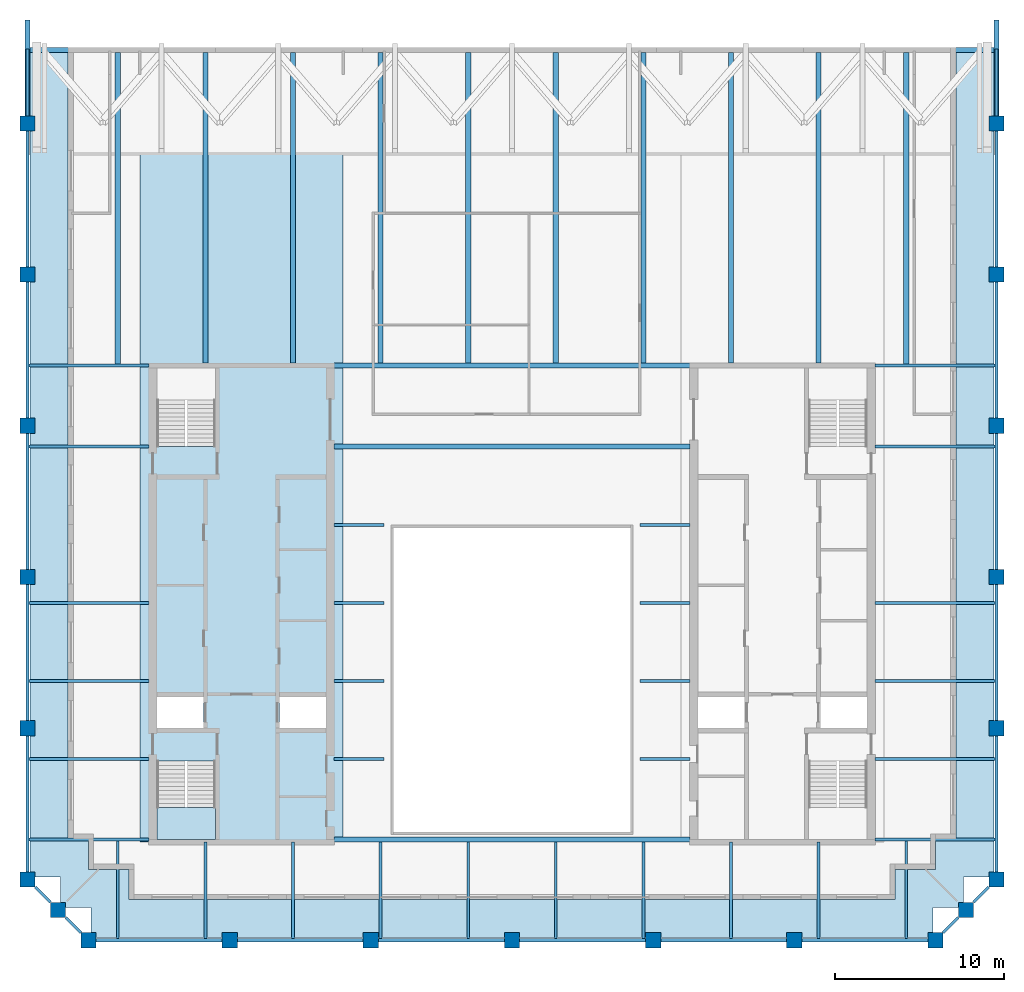
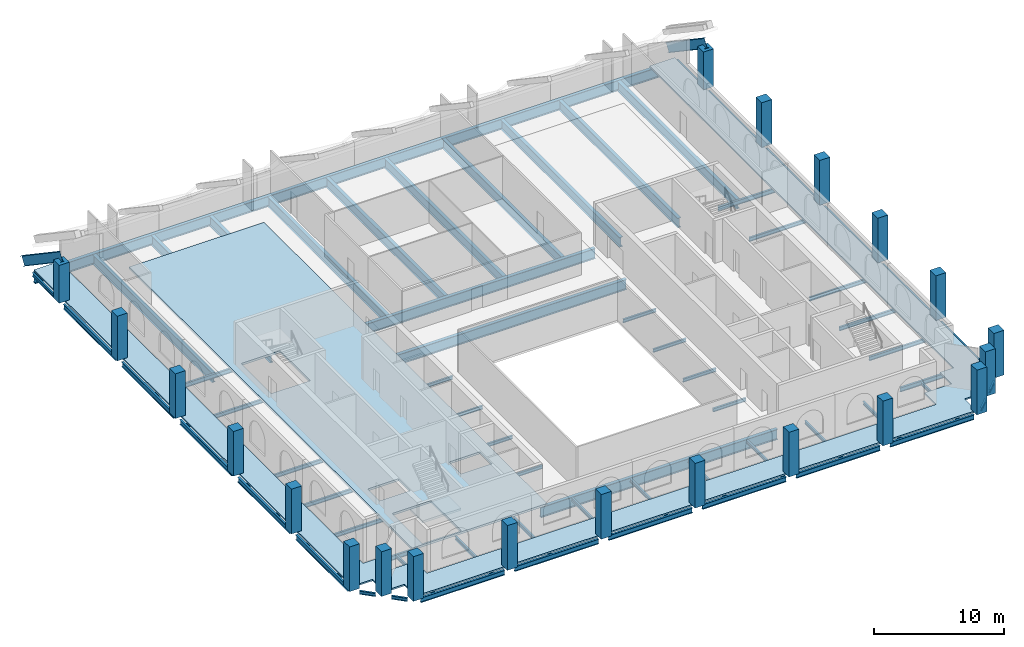
# One storey, part 1 of 8: 68 beams, 21 columns, 3 slabs, 1 element without a shape of its own.
"""IFC4 building model written with IfcOpenShell, lengths in metres."""

from ifc_helpers import new_model, si_unit, direction, frame, origin, origin_2d, place, context, subcontext, project, spatial, polyline, rectangle, i_section, outline, extrude, material, layer, layer_set, material_profile, profile_set, type_object, element, aggregate, save


model = new_model("IFC4")

# Units and contexts
model_context = context("Model", 3, precision=1e-05, world=origin(), true_north=direction((0.0, 1.0)))
body_context = subcontext(model_context, "Body", "Model", "MODEL_VIEW")
ifc_project = project(units=[si_unit("LENGTHUNIT", "METRE"), si_unit("AREAUNIT", "SQUARE_METRE"), si_unit("VOLUMEUNIT", "CUBIC_METRE"), si_unit("PLANEANGLEUNIT", "RADIAN"), si_unit("MASSUNIT", "GRAM", prefix="KILO")], contexts=[model_context])

# Site, building, storey
site_placement = place(None, origin())
site = spatial("IfcSite", under=ifc_project, at=site_placement, CompositionType="ELEMENT")
building_placement = place(site_placement, origin())
building = spatial("IfcBuilding", under=site, at=building_placement, Name="Ogive Exchange Tower", CompositionType="ELEMENT")
storey_placement = place(building_placement, frame((0.0, 0.0, 377.39990234375)))
storey = spatial("IfcBuildingStorey", under=building, at=storey_placement, Name="C03", CompositionType="ELEMENT", Elevation=377.39990234375)

# Columns
ifc_material_1 = material(Name="Precast concrete C70/85 (limestone faced)", Category="masonry")
ifc_material_profile_1 = material_profile(ifc_material_1, rectangle(XDim=0.89990234375, YDim=0.89990234375, at=origin_2d()), Name="900 x 900")
ifc_profile_set_1 = profile_set([ifc_material_profile_1], Name="Precast concrete C70/85 (limestone faced)")
column_type = type_object("IfcColumnType", Name="Precast exoskeleton leg 900 x 900 C70/85", PredefinedType="COLUMN", material=ifc_profile_set_1)
for number, where, z_axis, x_axis, name in (
    (1, (-25.050048828125, -8.39990234375, 0.0), (0.0, 0.0, 1.0), (1.0, 0.0, 0.0), "Crown leg 1"),
    (2, (-16.699951171875, -8.39990234375, 0.0), (0.0, 0.0, 1.0), (1.0, 0.0, 0.0), "Crown leg 2"),
    (3, (-8.35009765625, -8.39990234375, 0.0), (0.0, 0.0, 1.0), (1.0, 0.0, 0.0), "Crown leg 3"),
    (4, (0.0, -8.39990234375, 0.0), (0.0, 0.0, 1.0), (1.0, 0.0, 0.0), "Crown leg 4"),
    (5, (8.35009765625, -8.39990234375, 0.0), (0.0, 0.0, 1.0), (1.0, 0.0, 0.0), "Crown leg 5"),
    (6, (16.699951171875, -8.39990234375, 0.0), (0.0, 0.0, 1.0), (1.0, 0.0, 0.0), "Crown leg 6"),
    (7, (25.050048828125, -8.39990234375, 0.0), (0.0, 0.0, 1.0), (1.0, 0.0, 0.0), "Crown leg 7"),
    (8, (28.64990234375, -4.800048828125, 0.0), (0.0, 0.0, 1.0), (1.0, 0.0, 0.0), "Crown leg 8"),
    (9, (28.64990234375, 4.142822265625, 0.0), (0.0, 0.0, 1.0), (1.0, 0.0, 0.0), "Crown leg 9"),
    (10, (28.64990234375, 13.085693359375, 0.0), (0.0, 0.0, 1.0), (1.0, 0.0, 0.0), "Crown leg 10"),
    (11, (28.64990234375, 22.028564453125, 0.0), (0.0, 0.0, 1.0), (1.0, 0.0, 0.0), "Crown leg 11"),
    (12, (28.64990234375, 30.971435546875, 0.0), (0.0, 0.0, 1.0), (1.0, 0.0, 0.0), "Crown leg 12"),
):
    element("IfcColumn", number, at=place(storey_placement, frame(where, z_axis=z_axis, x_axis=x_axis)), inside=storey, type_object=column_type, Name=name, PredefinedType="COLUMN", context=body_context, shape_type="SweptSolid", body=[
        extrude(rectangle(XDim=0.89990234375, YDim=0.89990234375, at=origin_2d()), origin(), (0.0, 0.0, 1.0), 4.2001953125),
    ])
for number, where, z_axis, x_axis, name in (
    (13, (28.64990234375, 39.914306640625, 0.0), (0.0, 0.0, 1.0), (1.0, 0.0, 0.0), "Crown leg 13"),
    (14, (-28.64990234375, 39.914306640625, 0.0), (0.0, 0.0, 1.0), (1.0, 0.0, 0.0), "Crown leg 25"),
):
    element("IfcColumn", number, at=place(storey_placement, frame(where, z_axis=z_axis, x_axis=x_axis)), inside=storey, type_object=column_type, Name=name, PredefinedType="COLUMN", context=body_context, shape_type="SweptSolid", body=[
        extrude(rectangle(XDim=0.89990234375, YDim=0.89990234375, at=origin_2d()), origin(), (0.0, 0.0, 1.0), 3.551025390625),
    ])
for number, where, z_axis, x_axis, name in (
    (15, (-28.64990234375, 30.971435546875, 0.0), (0.0, 0.0, 1.0), (1.0, 0.0, 0.0), "Crown leg 26"),
    (16, (-28.64990234375, 22.028564453125, 0.0), (0.0, 0.0, 1.0), (1.0, 0.0, 0.0), "Crown leg 27"),
    (17, (-28.64990234375, 13.085693359375, 0.0), (0.0, 0.0, 1.0), (1.0, 0.0, 0.0), "Crown leg 28"),
    (18, (-28.64990234375, 4.142822265625, 0.0), (0.0, 0.0, 1.0), (1.0, 0.0, 0.0), "Crown leg 29"),
    (19, (-28.64990234375, -4.800048828125, 0.0), (0.0, 0.0, 1.0), (1.0, 0.0, 0.0), "Crown leg 30"),
    (20, (26.85009765625, -6.60009765625, 0.0), (0.0, 0.0, 1.0), (1.0, 0.0, 0.0), "Crown leg 31"),
    (21, (-26.85009765625, -6.60009765625, 0.0), (0.0, 0.0, 1.0), (1.0, 0.0, 0.0), "Crown leg 34"),
):
    element("IfcColumn", number, at=place(storey_placement, frame(where, z_axis=z_axis, x_axis=x_axis)), inside=storey, type_object=column_type, Name=name, PredefinedType="COLUMN", context=body_context, shape_type="SweptSolid", body=[
        extrude(rectangle(XDim=0.89990234375, YDim=0.89990234375, at=origin_2d()), origin(), (0.0, 0.0, 1.0), 4.2001953125),
    ])

# Beams
ifc_material_2 = material(Name="Steel ASTM A992 Gr50", Category="steel")
ifc_material_profile_2 = material_profile(ifc_material_2, i_section(OverallWidth=0.2919921875, OverallDepth=0.8359375, WebThickness=0.013916015625, FlangeThickness=0.018798828125, at=origin_2d()), Name="W840x176")
ifc_profile_set_2 = profile_set([ifc_material_profile_2], Name="Steel ASTM A992 Gr50")
beam_type_1 = type_object("IfcBeamType", Name="Crown raking ring beam W840x176", PredefinedType="BEAM", material=ifc_profile_set_2)
for number, where, z_axis, x_axis, name in (
    (22, (28.64990234375, 39.914306640625, 3.968994140625), (0.0, 0.829037640692, -0.559192802453), (-1.0, 0.0, 0.0), "Crown ring beam 14"),
    (23, (-28.64990234375, 45.798583984375, 0.0), (0.0, -0.829037640692, 0.559192802453), (1.0, 0.0, 0.0), "Crown ring beam 27"),
):
    element("IfcBeam", number, at=place(storey_placement, frame(where, z_axis=z_axis, x_axis=x_axis)), inside=storey, type_object=beam_type_1, Name=name, PredefinedType="BEAM", context=body_context, shape_type="SweptSolid", body=[
        extrude(i_section(OverallWidth=0.2919921875, OverallDepth=0.8359375, WebThickness=0.013916015625, FlangeThickness=0.018798828125, at=origin_2d()), origin(), (0.0, 0.0, 1.0), 7.09765625),
    ])
ifc_material_profile_3 = material_profile(ifc_material_2, i_section(OverallWidth=0.300048828125, OverallDepth=0.97998046875, WebThickness=0.0166015625, FlangeThickness=0.026123046875, at=origin_2d()), Name="W1000x249")
ifc_profile_set_3 = profile_set([ifc_material_profile_3], Name="Steel ASTM A992 Gr50")
beam_type_2 = type_object("IfcBeamType", Name="Floor beam W1000x249", PredefinedType="JOIST", material=ifc_profile_set_3)
beam_1_placement = place(storey_placement, frame((-10.52001953125, 20.797607421875, -0.68994140625), z_axis=(1.0, 0.0, 0.0), x_axis=(0.0, 1.0, 0.0)))
element("IfcBeam", 24, at=beam_1_placement, inside=storey, type_object=beam_type_2, Name="Floor beam", PredefinedType="JOIST", context=body_context, shape_type="SweptSolid", body=[
    extrude(i_section(OverallWidth=0.300048828125, OverallDepth=0.97998046875, WebThickness=0.0166015625, FlangeThickness=0.026123046875, at=origin_2d()), origin(), (0.0, 0.0, 1.0), 21.0400390625),
])
ifc_material_profile_4 = material_profile(ifc_material_2, i_section(OverallWidth=0.1650390625, OverallDepth=0.31005859375, WebThickness=0.005859375, FlangeThickness=0.009765625, at=origin_2d()), Name="W310x38.7")
ifc_profile_set_4 = profile_set([ifc_material_profile_4], Name="Steel ASTM A992 Gr50")
beam_type_3 = type_object("IfcBeamType", Name="Floor beam W310x38.7", PredefinedType="JOIST", material=ifc_profile_set_4)
for number, where, z_axis, x_axis, name in (
    (25, (-10.52001953125, 2.3212890625, -0.35498046875), (1.0, 0.0, 0.0), (0.0, 1.0, 0.0), "Floor beam"),
    (26, (7.570068359375, 2.3212890625, -0.35498046875), (1.0, 0.0, 0.0), (0.0, 1.0, 0.0), "Floor beam"),
    (27, (-10.52001953125, 6.9326171875, -0.35498046875), (1.0, 0.0, 0.0), (0.0, 1.0, 0.0), "Floor beam"),
    (28, (7.570068359375, 6.9326171875, -0.35498046875), (1.0, 0.0, 0.0), (0.0, 1.0, 0.0), "Floor beam"),
    (29, (-10.52001953125, 11.543701171875, -0.35498046875), (1.0, 0.0, 0.0), (0.0, 1.0, 0.0), "Floor beam"),
    (30, (7.570068359375, 11.543701171875, -0.35498046875), (1.0, 0.0, 0.0), (0.0, 1.0, 0.0), "Floor beam"),
):
    element("IfcBeam", number, at=place(storey_placement, frame(where, z_axis=z_axis, x_axis=x_axis)), inside=storey, type_object=beam_type_3, Name=name, PredefinedType="JOIST", context=body_context, shape_type="SweptSolid", body=[
        extrude(i_section(OverallWidth=0.1650390625, OverallDepth=0.31005859375, WebThickness=0.005859375, FlangeThickness=0.009765625, at=origin_2d()), origin(), (0.0, 0.0, 1.0), 2.949951171875),
    ])
beam_2_placement = place(storey_placement, frame((-23.314208984375, -8.304443359375, -0.35498046875), z_axis=(0.0, 1.0, 0.0), x_axis=(-1.0, 0.0, 0.0)))
element("IfcBeam", 31, at=beam_2_placement, inside=storey, type_object=beam_type_3, Name="Floor beam", PredefinedType="JOIST", context=body_context, shape_type="SweptSolid", body=[
    extrude(i_section(OverallWidth=0.1650390625, OverallDepth=0.31005859375, WebThickness=0.005859375, FlangeThickness=0.009765625, at=origin_2d()), origin(), (0.0, 0.0, 1.0), 5.7705078125),
])
for number, where, z_axis, x_axis, name in (
    (32, (-18.13330078125, -8.304443359375, -0.35498046875), (0.0, 1.0, 0.0), (-1.0, 0.0, 0.0), "Floor beam"),
    (33, (-12.952392578125, -8.304443359375, -0.35498046875), (0.0, 1.0, 0.0), (-1.0, 0.0, 0.0), "Floor beam"),
):
    element("IfcBeam", number, at=place(storey_placement, frame(where, z_axis=z_axis, x_axis=x_axis)), inside=storey, type_object=beam_type_3, Name=name, PredefinedType="JOIST", context=body_context, shape_type="SweptSolid", body=[
        extrude(i_section(OverallWidth=0.1650390625, OverallDepth=0.31005859375, WebThickness=0.005859375, FlangeThickness=0.009765625, at=origin_2d()), origin(), (0.0, 0.0, 1.0), 5.704345703125),
    ])
for number, where, z_axis, x_axis, name in (
    (34, (-7.771484375, -8.304443359375, -0.35498046875), (0.0, 1.0, 0.0), (-1.0, 0.0, 0.0), "Floor beam"),
    (35, (-2.590576171875, -8.304443359375, -0.35498046875), (0.0, 1.0, 0.0), (-1.0, 0.0, 0.0), "Floor beam"),
    (36, (2.590576171875, -8.304443359375, -0.35498046875), (0.0, 1.0, 0.0), (-1.0, 0.0, 0.0), "Floor beam"),
    (37, (7.771484375, -8.304443359375, -0.35498046875), (0.0, 1.0, 0.0), (-1.0, 0.0, 0.0), "Floor beam"),
):
    element("IfcBeam", number, at=place(storey_placement, frame(where, z_axis=z_axis, x_axis=x_axis)), inside=storey, type_object=beam_type_3, Name=name, PredefinedType="JOIST", context=body_context, shape_type="SweptSolid", body=[
        extrude(i_section(OverallWidth=0.1650390625, OverallDepth=0.31005859375, WebThickness=0.005859375, FlangeThickness=0.009765625, at=origin_2d()), origin(), (0.0, 0.0, 1.0), 5.70947265625),
    ])
for number, where, z_axis, x_axis, name in (
    (38, (12.952392578125, -8.304443359375, -0.35498046875), (0.0, 1.0, 0.0), (-1.0, 0.0, 0.0), "Floor beam"),
    (39, (18.13330078125, -8.304443359375, -0.35498046875), (0.0, 1.0, 0.0), (-1.0, 0.0, 0.0), "Floor beam"),
):
    element("IfcBeam", number, at=place(storey_placement, frame(where, z_axis=z_axis, x_axis=x_axis)), inside=storey, type_object=beam_type_3, Name=name, PredefinedType="JOIST", context=body_context, shape_type="SweptSolid", body=[
        extrude(i_section(OverallWidth=0.1650390625, OverallDepth=0.31005859375, WebThickness=0.005859375, FlangeThickness=0.009765625, at=origin_2d()), origin(), (0.0, 0.0, 1.0), 5.704345703125),
    ])
beam_3_placement = place(storey_placement, frame((23.314208984375, -8.304443359375, -0.35498046875), z_axis=(0.0, 1.0, 0.0), x_axis=(-1.0, 0.0, 0.0)))
element("IfcBeam", 40, at=beam_3_placement, inside=storey, type_object=beam_type_3, Name="Floor beam", PredefinedType="JOIST", context=body_context, shape_type="SweptSolid", body=[
    extrude(i_section(OverallWidth=0.1650390625, OverallDepth=0.31005859375, WebThickness=0.005859375, FlangeThickness=0.009765625, at=origin_2d()), origin(), (0.0, 0.0, 1.0), 5.7705078125),
])
ifc_material_profile_5 = material_profile(ifc_material_2, i_section(OverallWidth=0.1708984375, OverallDepth=0.35595703125, WebThickness=0.00732421875, FlangeThickness=0.01171875, at=origin_2d()), Name="W360x51")
ifc_profile_set_5 = profile_set([ifc_material_profile_5], Name="Steel ASTM A992 Gr50")
beam_type_4 = type_object("IfcBeamType", Name="Floor beam W360x51", PredefinedType="JOIST", material=ifc_profile_set_5)
for number, where, z_axis, x_axis, name in (
    (41, (-28.554443359375, 2.3212890625, -0.3779296875), (1.0, 0.0, 0.0), (0.0, 1.0, 0.0), "Floor beam"),
    (42, (21.47998046875, 2.3212890625, -0.3779296875), (1.0, 0.0, 0.0), (0.0, 1.0, 0.0), "Floor beam"),
    (43, (-28.554443359375, 6.9326171875, -0.3779296875), (1.0, 0.0, 0.0), (0.0, 1.0, 0.0), "Floor beam"),
    (44, (21.47998046875, 6.9326171875, -0.3779296875), (1.0, 0.0, 0.0), (0.0, 1.0, 0.0), "Floor beam"),
    (45, (-28.554443359375, 11.543701171875, -0.3779296875), (1.0, 0.0, 0.0), (0.0, 1.0, 0.0), "Floor beam"),
    (46, (21.47998046875, 11.543701171875, -0.3779296875), (1.0, 0.0, 0.0), (0.0, 1.0, 0.0), "Floor beam"),
    (47, (-28.554443359375, 20.797607421875, -0.3779296875), (1.0, 0.0, 0.0), (0.0, 1.0, 0.0), "Floor beam"),
    (48, (21.47998046875, 20.797607421875, -0.3779296875), (1.0, 0.0, 0.0), (0.0, 1.0, 0.0), "Floor beam"),
):
    element("IfcBeam", number, at=place(storey_placement, frame(where, z_axis=z_axis, x_axis=x_axis)), inside=storey, type_object=beam_type_4, Name=name, PredefinedType="JOIST", context=body_context, shape_type="SweptSolid", body=[
        extrude(i_section(OverallWidth=0.1708984375, OverallDepth=0.35595703125, WebThickness=0.00732421875, FlangeThickness=0.01171875, at=origin_2d()), origin(), (0.0, 0.0, 1.0), 7.074462890625),
    ])
ifc_material_profile_6 = material_profile(ifc_material_2, i_section(OverallWidth=0.304931640625, OverallDepth=0.904052734375, WebThickness=0.01513671875, FlangeThickness=0.02001953125, at=origin_2d()), Name="W920x201")
ifc_profile_set_6 = profile_set([ifc_material_profile_6], Name="Steel ASTM A992 Gr50")
beam_type_5 = type_object("IfcBeamType", Name="Floor beam W920x201", PredefinedType="JOIST", material=ifc_profile_set_6)
beam_4_placement = place(storey_placement, frame((-23.314208984375, 25.68408203125, -0.65185546875), z_axis=(0.0, 1.0, 0.0), x_axis=(-1.0, 0.0, 0.0)))
element("IfcBeam", 49, at=beam_4_placement, inside=storey, type_object=beam_type_5, Name="Floor beam", PredefinedType="JOIST", context=body_context, shape_type="SweptSolid", body=[
    extrude(i_section(OverallWidth=0.304931640625, OverallDepth=0.904052734375, WebThickness=0.01513671875, FlangeThickness=0.02001953125, at=origin_2d()), origin(), (0.0, 0.0, 1.0), 18.412109375),
])
for number, where, z_axis, x_axis, name in (
    (50, (-18.13330078125, 25.75, -0.65185546875), (0.0, 1.0, 0.0), (-1.0, 0.0, 0.0), "Floor beam"),
    (51, (-12.952392578125, 25.75, -0.65185546875), (0.0, 1.0, 0.0), (-1.0, 0.0, 0.0), "Floor beam"),
):
    element("IfcBeam", number, at=place(storey_placement, frame(where, z_axis=z_axis, x_axis=x_axis)), inside=storey, type_object=beam_type_5, Name=name, PredefinedType="JOIST", context=body_context, shape_type="SweptSolid", body=[
        extrude(i_section(OverallWidth=0.304931640625, OverallDepth=0.904052734375, WebThickness=0.01513671875, FlangeThickness=0.02001953125, at=origin_2d()), origin(), (0.0, 0.0, 1.0), 18.34619140625),
    ])
for number, where, z_axis, x_axis, name in (
    (52, (-7.771484375, 25.7451171875, -0.65185546875), (0.0, 1.0, 0.0), (-1.0, 0.0, 0.0), "Floor beam"),
    (53, (-2.590576171875, 25.7451171875, -0.65185546875), (0.0, 1.0, 0.0), (-1.0, 0.0, 0.0), "Floor beam"),
    (54, (2.590576171875, 25.7451171875, -0.65185546875), (0.0, 1.0, 0.0), (-1.0, 0.0, 0.0), "Floor beam"),
    (55, (7.771484375, 25.7451171875, -0.65185546875), (0.0, 1.0, 0.0), (-1.0, 0.0, 0.0), "Floor beam"),
):
    element("IfcBeam", number, at=place(storey_placement, frame(where, z_axis=z_axis, x_axis=x_axis)), inside=storey, type_object=beam_type_5, Name=name, PredefinedType="JOIST", context=body_context, shape_type="SweptSolid", body=[
        extrude(i_section(OverallWidth=0.304931640625, OverallDepth=0.904052734375, WebThickness=0.01513671875, FlangeThickness=0.02001953125, at=origin_2d()), origin(), (0.0, 0.0, 1.0), 18.35107421875),
    ])
for number, where, z_axis, x_axis, name in (
    (56, (12.952392578125, 25.75, -0.65185546875), (0.0, 1.0, 0.0), (-1.0, 0.0, 0.0), "Floor beam"),
    (57, (18.13330078125, 25.75, -0.65185546875), (0.0, 1.0, 0.0), (-1.0, 0.0, 0.0), "Floor beam"),
):
    element("IfcBeam", number, at=place(storey_placement, frame(where, z_axis=z_axis, x_axis=x_axis)), inside=storey, type_object=beam_type_5, Name=name, PredefinedType="JOIST", context=body_context, shape_type="SweptSolid", body=[
        extrude(i_section(OverallWidth=0.304931640625, OverallDepth=0.904052734375, WebThickness=0.01513671875, FlangeThickness=0.02001953125, at=origin_2d()), origin(), (0.0, 0.0, 1.0), 18.34619140625),
    ])
beam_5_placement = place(storey_placement, frame((23.314208984375, 25.68408203125, -0.65185546875), z_axis=(0.0, 1.0, 0.0), x_axis=(-1.0, 0.0, 0.0)))
element("IfcBeam", 58, at=beam_5_placement, inside=storey, type_object=beam_type_5, Name="Floor beam", PredefinedType="JOIST", context=body_context, shape_type="SweptSolid", body=[
    extrude(i_section(OverallWidth=0.304931640625, OverallDepth=0.904052734375, WebThickness=0.01513671875, FlangeThickness=0.02001953125, at=origin_2d()), origin(), (0.0, 0.0, 1.0), 18.412109375),
])
ifc_material_profile_7 = material_profile(ifc_material_2, i_section(OverallWidth=0.300048828125, OverallDepth=0.97998046875, WebThickness=0.0166015625, FlangeThickness=0.026123046875, at=origin_2d()), Name="W1000x249")
ifc_profile_set_7 = profile_set([ifc_material_profile_7], Name="Steel ASTM A992 Gr50")
beam_type_6 = type_object("IfcBeamType", Name="Girder W1000x249", PredefinedType="BEAM", material=ifc_profile_set_7)
beam_6_placement = place(storey_placement, frame((-28.5673828125, 44.24609375, -0.68994140625), z_axis=(1.0, 0.0, 0.0), x_axis=(0.0, 1.0, 0.0)))
element("IfcBeam", 59, at=beam_6_placement, inside=storey, type_object=beam_type_6, Name="Trimmer girder", PredefinedType="BEAM", context=body_context, shape_type="SweptSolid", body=[
    extrude(i_section(OverallWidth=0.300048828125, OverallDepth=0.97998046875, WebThickness=0.0166015625, FlangeThickness=0.026123046875, at=origin_2d()), origin(), (0.0, 0.0, 1.0), 57.134765625),
])
for number, where, z_axis, x_axis, name in (
    (60, (-10.52001953125, -2.445068359375, -0.68994140625), (1.0, 0.0, 0.0), (0.0, 1.0, 0.0), "Header girder"),
    (61, (-10.52001953125, 25.594970703125, -0.68994140625), (1.0, 0.0, 0.0), (0.0, 1.0, 0.0), "Header girder"),
):
    element("IfcBeam", number, at=place(storey_placement, frame(where, z_axis=z_axis, x_axis=x_axis)), inside=storey, type_object=beam_type_6, Name=name, PredefinedType="BEAM", context=body_context, shape_type="SweptSolid", body=[
        extrude(i_section(OverallWidth=0.300048828125, OverallDepth=0.97998046875, WebThickness=0.0166015625, FlangeThickness=0.026123046875, at=origin_2d()), origin(), (0.0, 0.0, 1.0), 21.0400390625),
    ])
ifc_material_profile_8 = material_profile(ifc_material_2, i_section(OverallWidth=0.1650390625, OverallDepth=0.31005859375, WebThickness=0.005859375, FlangeThickness=0.009765625, at=origin_2d()), Name="W310x38.7")
ifc_profile_set_8 = profile_set([ifc_material_profile_8], Name="Steel ASTM A992 Gr50")
beam_type_7 = type_object("IfcBeamType", Name="Girder W310x38.7", PredefinedType="BEAM", material=ifc_profile_set_8)
for number, where, z_axis, x_axis, name in (
    (62, (28.64990234375, 40.3642578125, -0.35498046875), (0.0, 1.0, 0.0), (-1.0, 0.0, 0.0), "Girder"),
    (63, (-28.64990234375, 44.30615234375, -0.35498046875), (0.0, -1.0, 0.0), (1.0, 0.0, 0.0), "Girder"),
):
    element("IfcBeam", number, at=place(storey_placement, frame(where, z_axis=z_axis, x_axis=x_axis)), inside=storey, type_object=beam_type_7, Name=name, PredefinedType="BEAM", context=body_context, shape_type="SweptSolid", body=[
        extrude(i_section(OverallWidth=0.1650390625, OverallDepth=0.31005859375, WebThickness=0.005859375, FlangeThickness=0.009765625, at=origin_2d()), origin(), (0.0, 0.0, 1.0), 3.94189453125),
    ])
for number, where, z_axis, x_axis, name in (
    (64, (-28.199951171875, -5.25, -0.35498046875), (0.707106781187, -0.707106781187, 0.0), (0.707106781187, 0.707106781187, 0.0), "Girder"),
    (65, (-26.39990234375, -7.050048828125, -0.35498046875), (0.707106781187, -0.707106781187, 0.0), (0.707106781187, 0.707106781187, 0.0), "Girder"),
    (66, (25.5, -7.949951171875, -0.35498046875), (0.707106781187, 0.707106781187, 0.0), (-0.707106781187, 0.707106781187, 0.0), "Girder"),
    (67, (27.300048828125, -6.14990234375, -0.35498046875), (0.707106781187, 0.707106781187, 0.0), (-0.707106781187, 0.707106781187, 0.0), "Girder"),
):
    element("IfcBeam", number, at=place(storey_placement, frame(where, z_axis=z_axis, x_axis=x_axis)), inside=storey, type_object=beam_type_7, Name=name, PredefinedType="BEAM", context=body_context, shape_type="SweptSolid", body=[
        extrude(i_section(OverallWidth=0.1650390625, OverallDepth=0.31005859375, WebThickness=0.005859375, FlangeThickness=0.009765625, at=origin_2d()), origin(), (0.0, 0.0, 1.0), 1.272705078125),
    ])
for number, where, z_axis, x_axis, name in (
    (68, (-10.52001953125, 16.155029296875, -0.35498046875), (1.0, 0.0, 0.0), (0.0, 1.0, 0.0), "Trimmer girder"),
    (69, (7.570068359375, 16.155029296875, -0.35498046875), (1.0, 0.0, 0.0), (0.0, 1.0, 0.0), "Trimmer girder"),
):
    element("IfcBeam", number, at=place(storey_placement, frame(where, z_axis=z_axis, x_axis=x_axis)), inside=storey, type_object=beam_type_7, Name=name, PredefinedType="BEAM", context=body_context, shape_type="SweptSolid", body=[
        extrude(i_section(OverallWidth=0.1650390625, OverallDepth=0.31005859375, WebThickness=0.005859375, FlangeThickness=0.009765625, at=origin_2d()), origin(), (0.0, 0.0, 1.0), 2.949951171875),
    ])
ifc_material_profile_9 = material_profile(ifc_material_2, i_section(OverallWidth=0.177978515625, OverallDepth=0.406005859375, WebThickness=0.0078125, FlangeThickness=0.0126953125, at=origin_2d()), Name="W410x60")
ifc_profile_set_9 = profile_set([ifc_material_profile_9], Name="Steel ASTM A992 Gr50")
beam_type_8 = type_object("IfcBeamType", Name="Girder W410x60", PredefinedType="BEAM", material=ifc_profile_set_9)
for number, where, z_axis, x_axis, name in (
    (70, (-28.554443359375, -2.445068359375, -0.40283203125), (1.0, 0.0, 0.0), (0.0, 1.0, 0.0), "Header girder"),
    (71, (21.47998046875, -2.445068359375, -0.40283203125), (1.0, 0.0, 0.0), (0.0, 1.0, 0.0), "Header girder"),
    (72, (-28.554443359375, 25.594970703125, -0.40283203125), (1.0, 0.0, 0.0), (0.0, 1.0, 0.0), "Header girder"),
    (73, (21.47998046875, 25.594970703125, -0.40283203125), (1.0, 0.0, 0.0), (0.0, 1.0, 0.0), "Header girder"),
):
    element("IfcBeam", number, at=place(storey_placement, frame(where, z_axis=z_axis, x_axis=x_axis)), inside=storey, type_object=beam_type_8, Name=name, PredefinedType="BEAM", context=body_context, shape_type="SweptSolid", body=[
        extrude(i_section(OverallWidth=0.177978515625, OverallDepth=0.406005859375, WebThickness=0.0078125, FlangeThickness=0.0126953125, at=origin_2d()), origin(), (0.0, 0.0, 1.0), 7.074462890625),
    ])
ifc_material_profile_10 = material_profile(ifc_material_2, i_section(OverallWidth=0.19091796875, OverallDepth=0.45703125, WebThickness=0.009033203125, FlangeThickness=0.014404296875, at=origin_2d()), Name="W460x74")
ifc_profile_set_10 = profile_set([ifc_material_profile_10], Name="Steel ASTM A992 Gr50")
beam_type_9 = type_object("IfcBeamType", Name="Girder W460x74", PredefinedType="BEAM", material=ifc_profile_set_10)
for number, where, z_axis, x_axis, name in (
    (74, (28.64990234375, 31.42138671875, -0.428466796875), (0.0, 1.0, 0.0), (-1.0, 0.0, 0.0), "Girder"),
    (75, (-28.64990234375, 39.46435546875, -0.428466796875), (0.0, -1.0, 0.0), (1.0, 0.0, 0.0), "Girder"),
    (76, (-28.64990234375, 30.521484375, -0.428466796875), (0.0, -1.0, 0.0), (1.0, 0.0, 0.0), "Girder"),
    (77, (-28.64990234375, 21.57861328125, -0.428466796875), (0.0, -1.0, 0.0), (1.0, 0.0, 0.0), "Girder"),
):
    element("IfcBeam", number, at=place(storey_placement, frame(where, z_axis=z_axis, x_axis=x_axis)), inside=storey, type_object=beam_type_9, Name=name, PredefinedType="BEAM", context=body_context, shape_type="SweptSolid", body=[
        extrude(i_section(OverallWidth=0.19091796875, OverallDepth=0.45703125, WebThickness=0.009033203125, FlangeThickness=0.014404296875, at=origin_2d()), origin(), (0.0, 0.0, 1.0), 8.04296875),
    ])
beam_7_placement = place(storey_placement, frame((-28.64990234375, 12.6357421875, -0.428466796875), z_axis=(0.0, -1.0, 0.0), x_axis=(1.0, 0.0, 0.0)))
element("IfcBeam", 78, at=beam_7_placement, inside=storey, type_object=beam_type_9, Name="Girder", PredefinedType="BEAM", context=body_context, shape_type="SweptSolid", body=[
    extrude(i_section(OverallWidth=0.19091796875, OverallDepth=0.45703125, WebThickness=0.009033203125, FlangeThickness=0.014404296875, at=origin_2d()), origin(), (0.0, 0.0, 1.0), 8.042724609375),
])
beam_8_placement = place(storey_placement, frame((-28.64990234375, 3.69287109375, -0.428466796875), z_axis=(0.0, -1.0, 0.0), x_axis=(1.0, 0.0, 0.0)))
element("IfcBeam", 79, at=beam_8_placement, inside=storey, type_object=beam_type_9, Name="Girder", PredefinedType="BEAM", context=body_context, shape_type="SweptSolid", body=[
    extrude(i_section(OverallWidth=0.19091796875, OverallDepth=0.45703125, WebThickness=0.009033203125, FlangeThickness=0.014404296875, at=origin_2d()), origin(), (0.0, 0.0, 1.0), 8.04296875),
])
beam_9_placement = place(storey_placement, frame((-24.60009765625, -8.39990234375, -0.428466796875), z_axis=(1.0, 0.0, 0.0), x_axis=(0.0, 1.0, 0.0)))
element("IfcBeam", 80, at=beam_9_placement, inside=storey, type_object=beam_type_9, Name="Girder", PredefinedType="BEAM", context=body_context, shape_type="SweptSolid", body=[
    extrude(i_section(OverallWidth=0.19091796875, OverallDepth=0.45703125, WebThickness=0.009033203125, FlangeThickness=0.014404296875, at=origin_2d()), origin(), (0.0, 0.0, 1.0), 7.4501953125),
])
for number, where, z_axis, x_axis, name in (
    (81, (-16.25, -8.39990234375, -0.428466796875), (1.0, 0.0, 0.0), (0.0, 1.0, 0.0), "Girder"),
    (82, (-7.89990234375, -8.39990234375, -0.428466796875), (1.0, 0.0, 0.0), (0.0, 1.0, 0.0), "Girder"),
    (83, (0.449951171875, -8.39990234375, -0.428466796875), (1.0, 0.0, 0.0), (0.0, 1.0, 0.0), "Girder"),
    (84, (8.800048828125, -8.39990234375, -0.428466796875), (1.0, 0.0, 0.0), (0.0, 1.0, 0.0), "Girder"),
):
    element("IfcBeam", number, at=place(storey_placement, frame(where, z_axis=z_axis, x_axis=x_axis)), inside=storey, type_object=beam_type_9, Name=name, PredefinedType="BEAM", context=body_context, shape_type="SweptSolid", body=[
        extrude(i_section(OverallWidth=0.19091796875, OverallDepth=0.45703125, WebThickness=0.009033203125, FlangeThickness=0.014404296875, at=origin_2d()), origin(), (0.0, 0.0, 1.0), 7.449951171875),
    ])
beam_10_placement = place(storey_placement, frame((17.14990234375, -8.39990234375, -0.428466796875), z_axis=(1.0, 0.0, 0.0), x_axis=(0.0, 1.0, 0.0)))
element("IfcBeam", 85, at=beam_10_placement, inside=storey, type_object=beam_type_9, Name="Girder", PredefinedType="BEAM", context=body_context, shape_type="SweptSolid", body=[
    extrude(i_section(OverallWidth=0.19091796875, OverallDepth=0.45703125, WebThickness=0.009033203125, FlangeThickness=0.014404296875, at=origin_2d()), origin(), (0.0, 0.0, 1.0), 7.4501953125),
])
beam_11_placement = place(storey_placement, frame((28.64990234375, -4.35009765625, -0.428466796875), z_axis=(0.0, 1.0, 0.0), x_axis=(-1.0, 0.0, 0.0)))
element("IfcBeam", 86, at=beam_11_placement, inside=storey, type_object=beam_type_9, Name="Girder", PredefinedType="BEAM", context=body_context, shape_type="SweptSolid", body=[
    extrude(i_section(OverallWidth=0.19091796875, OverallDepth=0.45703125, WebThickness=0.009033203125, FlangeThickness=0.014404296875, at=origin_2d()), origin(), (0.0, 0.0, 1.0), 8.04296875),
])
beam_12_placement = place(storey_placement, frame((28.64990234375, 4.593017578125, -0.428466796875), z_axis=(0.0, 1.0, 0.0), x_axis=(-1.0, 0.0, 0.0)))
element("IfcBeam", 87, at=beam_12_placement, inside=storey, type_object=beam_type_9, Name="Girder", PredefinedType="BEAM", context=body_context, shape_type="SweptSolid", body=[
    extrude(i_section(OverallWidth=0.19091796875, OverallDepth=0.45703125, WebThickness=0.009033203125, FlangeThickness=0.014404296875, at=origin_2d()), origin(), (0.0, 0.0, 1.0), 8.042724609375),
])
for number, where, z_axis, x_axis, name in (
    (88, (28.64990234375, 13.53564453125, -0.428466796875), (0.0, 1.0, 0.0), (-1.0, 0.0, 0.0), "Girder"),
    (89, (28.64990234375, 22.478515625, -0.428466796875), (0.0, 1.0, 0.0), (-1.0, 0.0, 0.0), "Girder"),
):
    element("IfcBeam", number, at=place(storey_placement, frame(where, z_axis=z_axis, x_axis=x_axis)), inside=storey, type_object=beam_type_9, Name=name, PredefinedType="BEAM", context=body_context, shape_type="SweptSolid", body=[
        extrude(i_section(OverallWidth=0.19091796875, OverallDepth=0.45703125, WebThickness=0.009033203125, FlangeThickness=0.014404296875, at=origin_2d()), origin(), (0.0, 0.0, 1.0), 8.04296875),
    ])

# Slabs
ifc_material_3 = material(Name="Concrete C70/85", Category="concrete")
ifc_layer_1 = layer(ifc_material_3, 0.199951171875)
ifc_layer_set_1 = layer_set([ifc_layer_1], Name="Core floor slab 200")
slab_type_1 = type_object("IfcSlabType", Name="Core floor slab 200", PredefinedType="FLOOR", material=ifc_layer_set_1)
slab_1_placement = place(storey_placement, frame((0.0, 0.0, -0.199951171875)))
element("IfcSlab", 90, at=slab_1_placement, inside=storey, type_object=slab_type_1, Name="Core floor slab", PredefinedType="FLOOR", context=body_context, shape_type="SweptSolid", body=[
    extrude(outline(polyline([(-22.0, 41.0), (-10.0, 41.0), (-10.0, -2.60009765625), (-22.0, -2.60009765625), (-22.0, 41.0)]), holes=[polyline([(-17.550048828125, 2.196044921875), (-21.0, 2.196044921875), (-21.0, -2.449951171875), (-17.550048828125, -2.449951171875), (-17.550048828125, 2.196044921875)]), polyline([(-21.0, 5.992919921875), (-21.0, 4.14990234375), (-18.25, 4.14990234375), (-18.25, 5.992919921875), (-21.0, 5.992919921875)]), polyline([(-13.75, 5.992919921875), (-13.75, 4.14990234375), (-11.0, 4.14990234375), (-11.0, 5.992919921875), (-13.75, 5.992919921875)]), polyline([(-21.0, 20.803955078125), (-17.550048828125, 20.803955078125), (-17.550048828125, 25.449951171875), (-21.0, 25.449951171875), (-21.0, 20.803955078125)])]), origin(), (0.0, 0.0, 1.0), 0.199951171875),
])
ifc_material_4 = material(Name="Concrete C50/60", Category="concrete")
ifc_layer_2 = layer(ifc_material_4, 0.14990234375)
ifc_layer_set_2 = layer_set([ifc_layer_2], Name="Loggia deck 150")
slab_type_2 = type_object("IfcSlabType", Name="Loggia deck 150", PredefinedType="FLOOR", material=ifc_layer_set_2)
slab_2_placement = place(storey_placement, frame((0.0, 0.0, -0.199951171875)))
element("IfcSlab", 91, at=slab_2_placement, inside=storey, type_object=slab_type_2, Name="Loggia deck", PredefinedType="FLOOR", context=body_context, shape_type="SweptSolid", body=[
    extrude(outline(polyline([(-26.695068359375, -4.64501953125), (-28.4951171875, -4.64501953125), (-28.4951171875, 44.401123046875), (-26.25, 44.401123046875), (-26.25, -2.39990234375), (-24.449951171875, -2.39990234375), (-24.449951171875, -2.39990234375), (-25.050048828125, -2.39990234375), (-25.050048828125, -4.199951171875), (-24.449951171875, -4.199951171875), (-24.449951171875, -4.199951171875), (-22.64990234375, -4.199951171875), (-22.64990234375, -6.0), (22.64990234375, -6.0), (22.64990234375, -4.199951171875), (24.449951171875, -4.199951171875), (24.449951171875, -4.199951171875), (25.050048828125, -4.199951171875), (25.050048828125, -2.39990234375), (24.449951171875, -2.39990234375), (24.449951171875, -2.39990234375), (26.25, -2.39990234375), (26.25, 44.401123046875), (28.4951171875, 44.401123046875), (28.4951171875, -4.64501953125), (26.695068359375, -4.64501953125), (26.695068359375, -6.445068359375), (24.89501953125, -6.445068359375), (24.89501953125, -8.2451171875), (-24.89501953125, -8.2451171875), (-24.89501953125, -6.445068359375), (-26.695068359375, -6.445068359375), (-26.695068359375, -4.64501953125)])), origin(), (0.0, 0.0, 1.0), 0.150146484375),
])

# Stair, slab
ifc_material_5 = material(Name="Concrete C40/50", Category="concrete")
stair_type = type_object("IfcStairType", Name="Exit stair 1650 wide", PredefinedType="HALF_TURN_STAIR", material=ifc_material_5)
stair_placement = place(storey_placement, origin())
stair = element("IfcStair", 92, at=stair_placement, inside=storey, type_object=stair_type, Name="C03 exit stair ST1", PredefinedType="HALF_TURN_STAIR")
ifc_layer_3 = layer(ifc_material_5, 0.199951171875)
ifc_layer_set_3 = layer_set([ifc_layer_3], Name="Stair landing 200 slab")
slab_type_3 = type_object("IfcSlabType", Name="Stair landing 200 slab", PredefinedType="LANDING", material=ifc_layer_set_3)
slab_3_placement = place(storey_placement, frame((0.0, 0.0, 1.900146484375)))
slab_3 = element("IfcSlab", 93, at=slab_3_placement, type_object=slab_type_3, Name="ST1 landing 1", PredefinedType="LANDING", context=body_context, shape_type="SweptSolid", body=[
    extrude(outline(polyline([(-21.0, -0.550048828125), (-21.0, -2.449951171875), (-17.550048828125, -2.449951171875), (-17.550048828125, -0.550048828125), (-21.0, -0.550048828125)])), origin(), (0.0, 0.0, 1.0), 0.199951171875),
])
aggregate(stair, [slab_3])

save(model, "model.ifc")
